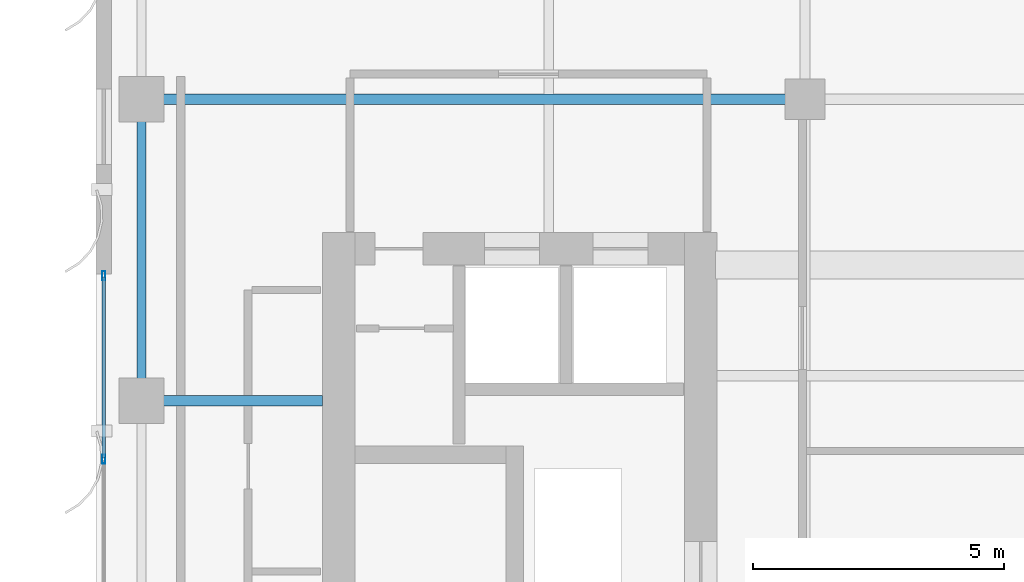
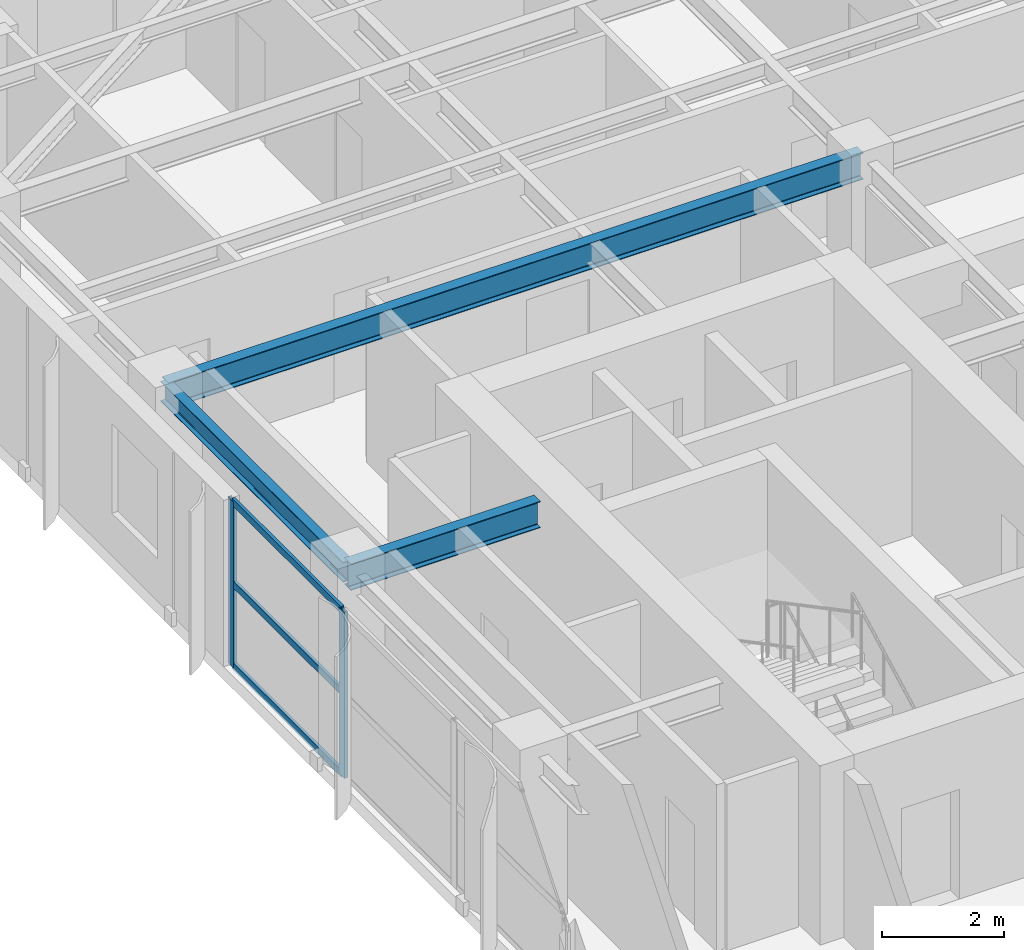
# One storey, part 7 of 21: 5 members, 3 beams, 1 element without a shape of its own.
"""IFC4 building model written with IfcOpenShell, lengths in metres."""

from ifc_helpers import new_model, si_unit, direction, frame, origin, origin_2d, place, context, subcontext, project, spatial, hollow_rectangle, i_section, extrude, source, transform, mapped, material, layer, layer_set, material_profile, profile_set, type_object, element, aggregate, save


model = new_model("IFC4")

# Units and contexts
model_context = context("Model", 3, precision=1e-05, world=origin(), true_north=direction((0.0, 1.0)))
body_context = subcontext(model_context, "Body", "Model", "MODEL_VIEW")
ifc_project = project(units=[si_unit("LENGTHUNIT", "METRE"), si_unit("AREAUNIT", "SQUARE_METRE"), si_unit("VOLUMEUNIT", "CUBIC_METRE"), si_unit("PLANEANGLEUNIT", "RADIAN"), si_unit("MASSUNIT", "GRAM", prefix="KILO")], contexts=[model_context])

# Site, building, storey
site_placement = place(None, origin())
site = spatial("IfcSite", under=ifc_project, at=site_placement, CompositionType="ELEMENT")
building_placement = place(site_placement, origin())
building = spatial("IfcBuilding", under=site, at=building_placement, Name="Khoralis Quay Care Tower", CompositionType="ELEMENT")
storey_placement = place(building_placement, frame((0.0, 0.0, 159.300048828125)))
storey = spatial("IfcBuildingStorey", under=building, at=storey_placement, Name="L41", CompositionType="ELEMENT", Elevation=159.300048828125)

# Beams
ifc_material_1 = material(Name="Steel S355", Category="steel")
ifc_material_profile_1 = material_profile(ifc_material_1, i_section(OverallWidth=0.179931640625, OverallDepth=0.39990234375, WebThickness=0.008544921875, FlangeThickness=0.013427734375, FilletRadius=0.02099609375, at=origin_2d()), Name="Steel S355")
ifc_profile_set_1 = profile_set([ifc_material_profile_1], Name="Steel S355")
beam_type_1 = type_object("IfcBeamType", Name="BM-IPE400", PredefinedType="SPANDREL", material=ifc_profile_set_1)
shared_shape_1 = source(origin(), body_context, "Body", "SweptSolid", [
    extrude(i_section(OverallWidth=0.179931640625, OverallDepth=0.39990234375, WebThickness=0.008544921875, FlangeThickness=0.013427734375, FilletRadius=0.02099609375, at=origin_2d()), origin(), (0.0, 0.0, 1.0), 6.0),
])
beam_1_placement = place(storey_placement, frame((3.89990234375, 24.0, 3.139892578125), z_axis=(0.0, 1.0, 0.0), x_axis=(-1.0, 0.0, 0.0)))
element("IfcBeam", 1, at=beam_1_placement, inside=storey, type_object=beam_type_1, Name="BM-TSP-L41-12", PredefinedType="SPANDREL", context=body_context, shape_type="MappedRepresentation", body=[
    mapped(shared_shape_1, transform((0.0, 0.0, 0.0), scale=1.0)),
])
ifc_material_profile_2 = material_profile(ifc_material_1, i_section(OverallWidth=0.208984375, OverallDepth=0.532958984375, WebThickness=0.01025390625, FlangeThickness=0.015625, FilletRadius=0.01611328125, at=origin_2d()), Name="Steel S355")
ifc_profile_set_2 = profile_set([ifc_material_profile_2], Name="Steel S355")
beam_type_2 = type_object("IfcBeamType", Name="BM-W530X92", PredefinedType="BEAM", material=ifc_profile_set_2)
shared_shape_2 = source(origin(), body_context, "Body", "SweptSolid", [
    extrude(i_section(OverallWidth=0.208984375, OverallDepth=0.532958984375, WebThickness=0.01025390625, FlangeThickness=0.015625, FilletRadius=0.01611328125, at=origin_2d()), origin(), (0.0, 0.0, 1.0), 13.2001953125),
])
beam_2_placement = place(storey_placement, frame((3.89990234375, 30.0, 3.073486328125), z_axis=(1.0, 0.0, 0.0), x_axis=(0.0, 1.0, 0.0)))
element("IfcBeam", 2, at=beam_2_placement, inside=storey, type_object=beam_type_2, Name="BM-TGXW-L41-300", PredefinedType="BEAM", context=body_context, shape_type="MappedRepresentation", body=[
    mapped(shared_shape_2, transform((0.0, 0.0, 0.0), scale=1.0)),
])
shared_shape_3 = source(origin(), body_context, "Body", "SweptSolid", [
    extrude(i_section(OverallWidth=0.208984375, OverallDepth=0.532958984375, WebThickness=0.01025390625, FlangeThickness=0.015625, FilletRadius=0.01611328125, at=origin_2d()), origin(), (0.0, 0.0, 1.0), 3.60205078125),
])
beam_3_placement = place(storey_placement, frame((3.89990234375, 24.0, 3.073486328125), z_axis=(1.0, 0.0, 0.0), x_axis=(0.0, 1.0, 0.0)))
element("IfcBeam", 3, at=beam_3_placement, inside=storey, type_object=beam_type_2, Name="BM-TGXW-L41-240", PredefinedType="BEAM", context=body_context, shape_type="MappedRepresentation", body=[
    mapped(shared_shape_3, transform((0.0, 0.0, 0.0), scale=1.0)),
])

# Curtain wall, members
ifc_material_2 = material(Name="Pale anodised aluminium", Category="aluminium")
ifc_layer = layer(ifc_material_2, 0.159912109375)
ifc_layer_set = layer_set([ifc_layer], Name="Pale anodised aluminium")
curtain_wall_type = type_object("IfcCurtainWallType", Name="CW-SYS-Z3", PredefinedType="NOTDEFINED", material=ifc_layer_set)
curtain_wall_placement = place(storey_placement, origin())
curtain_wall = element("IfcCurtainWall", 4, at=curtain_wall_placement, inside=storey, type_object=curtain_wall_type, Name="L41 Unitised Curtain Wall CW-L41-P1-E15", PredefinedType="NOTDEFINED")
ifc_material_profile_3 = material_profile(ifc_material_2, hollow_rectangle(XDim=0.06494140625, YDim=0.179931640625, WallThickness=0.00390625, at=origin_2d()), Name="Pale anodised aluminium")
ifc_profile_set_3 = profile_set([ifc_material_profile_3], Name="Pale anodised aluminium")
member_type_1 = type_object("IfcMemberType", Name="CW-MUL-180", PredefinedType="MULLION", material=ifc_profile_set_3)
shared_shape_4 = source(origin(), body_context, "Body", "SweptSolid", [
    extrude(hollow_rectangle(XDim=0.06494140625, YDim=0.179931640625, WallThickness=0.00390625, at=origin_2d()), origin(), (0.0, 0.0, 1.0), 3.33984375),
])
member_1_placement = place(storey_placement, frame((3.14990234375, 26.489990234375, 0.0), z_axis=(0.0, 0.0, 1.0), x_axis=(1.0, 0.0, 0.0)))
member_1 = element("IfcMember", 5, at=member_1_placement, type_object=member_type_1, Name="CW3 mullion 1", PredefinedType="MULLION", context=body_context, shape_type="MappedRepresentation", body=[
    mapped(shared_shape_4, transform((0.0, 0.0, 0.0), scale=1.0)),
])
member_2_placement = place(storey_placement, frame((3.14990234375, 22.840087890625, 0.0), z_axis=(0.0, 0.0, 1.0), x_axis=(1.0, 0.0, 0.0)))
member_2 = element("IfcMember", 6, at=member_2_placement, type_object=member_type_1, Name="CW3 mullion 2", PredefinedType="MULLION", context=body_context, shape_type="MappedRepresentation", body=[
    mapped(shared_shape_4, transform((0.0, 0.0, 0.0), scale=1.0)),
])
ifc_material_profile_4 = material_profile(ifc_material_2, hollow_rectangle(XDim=0.06005859375, YDim=0.139892578125, WallThickness=0.00390625, at=origin_2d()), Name="Pale anodised aluminium")
ifc_profile_set_4 = profile_set([ifc_material_profile_4], Name="Pale anodised aluminium")
member_type_2 = type_object("IfcMemberType", Name="CW-TRN-140", PredefinedType="USERDEFINED", material=ifc_profile_set_4)
shared_shape_5 = source(origin(), body_context, "Body", "SweptSolid", [
    extrude(hollow_rectangle(XDim=0.06005859375, YDim=0.139892578125, WallThickness=0.00390625, at=origin_2d()), origin(), (0.0, 0.0, 1.0), 3.58984375),
])
member_3_placement = place(storey_placement, frame((3.14990234375, 26.4599609375, 0.030029296875), z_axis=(0.0, -1.0, 0.0), x_axis=(1.0, 0.0, 0.0)))
member_3 = element("IfcMember", 7, at=member_3_placement, type_object=member_type_2, Name="CW3 transom 1.1", ObjectType="TRANSOM", PredefinedType="USERDEFINED", context=body_context, shape_type="MappedRepresentation", body=[
    mapped(shared_shape_5, transform((0.0, 0.0, 0.0), scale=1.0)),
])
member_4_placement = place(storey_placement, frame((3.14990234375, 26.4599609375, 1.669921875), z_axis=(0.0, -1.0, 0.0), x_axis=(1.0, 0.0, 0.0)))
member_4 = element("IfcMember", 8, at=member_4_placement, type_object=member_type_2, Name="CW3 transom 1.2", ObjectType="TRANSOM", PredefinedType="USERDEFINED", context=body_context, shape_type="MappedRepresentation", body=[
    mapped(shared_shape_5, transform((0.0, 0.0, 0.0), scale=1.0)),
])
member_5_placement = place(storey_placement, frame((3.14990234375, 26.4599609375, 3.31005859375), z_axis=(0.0, -1.0, 0.0), x_axis=(1.0, 0.0, 0.0)))
member_5 = element("IfcMember", 9, at=member_5_placement, type_object=member_type_2, Name="CW3 transom 1.3", ObjectType="TRANSOM", PredefinedType="USERDEFINED", context=body_context, shape_type="MappedRepresentation", body=[
    mapped(shared_shape_5, transform((0.0, 0.0, 0.0), scale=1.0)),
])
aggregate(curtain_wall, [member_1, member_2, member_3, member_4, member_5])

save(model, "model.ifc")
